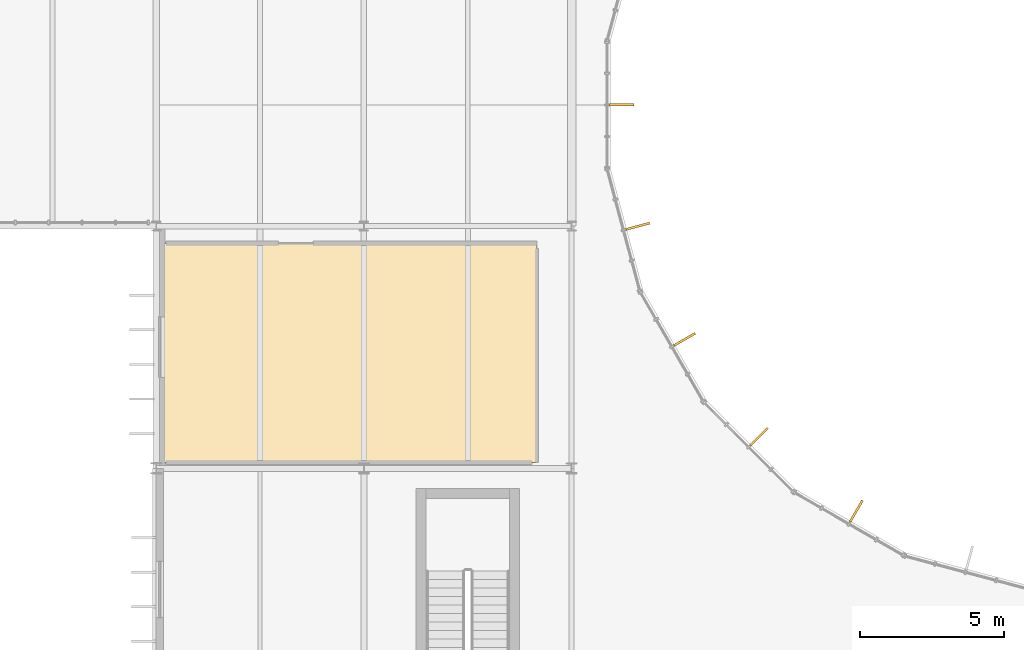
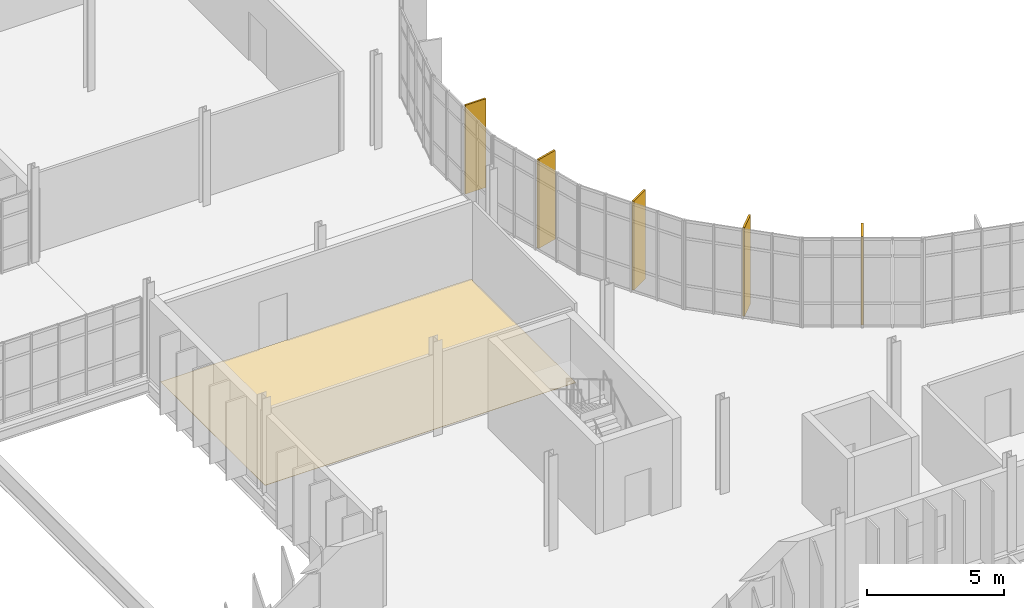
# One storey, part 108 of 119: 5 shading devices, 1 covering.
"""IFC4 building model written with IfcOpenShell, lengths in metres."""

from ifc_helpers import new_model, si_unit, direction, frame, origin, origin_2d, place, context, subcontext, project, spatial, polyline, rectangle, outline, extrude, material, layer, layer_set, type_object, element, save


model = new_model("IFC4")

# Units and contexts
model_context = context("Model", 3, precision=1e-05, world=origin(), true_north=direction((0.0, 1.0)))
body_context = subcontext(model_context, "Body", "Model", "MODEL_VIEW")
ifc_project = project(units=[si_unit("LENGTHUNIT", "METRE"), si_unit("AREAUNIT", "SQUARE_METRE"), si_unit("VOLUMEUNIT", "CUBIC_METRE"), si_unit("PLANEANGLEUNIT", "RADIAN"), si_unit("MASSUNIT", "GRAM", prefix="KILO")], contexts=[model_context])

# Site, building, storey
site_placement = place(None, origin())
site = spatial("IfcSite", under=ifc_project, at=site_placement, CompositionType="ELEMENT")
building_placement = place(site_placement, origin())
building = spatial("IfcBuilding", under=site, at=building_placement, Name="Qelthora Terrace Specialist Clinic", CompositionType="ELEMENT")
storey_placement = place(building_placement, frame((0.0, 0.0, 4.800048828125)))
storey = spatial("IfcBuildingStorey", under=building, at=storey_placement, Name="L01", CompositionType="ELEMENT", Elevation=4.800048828125)

# Covering
ifc_material_1 = material(Name="Antimicrobial clinical linoleum flooring", Category="other")
ifc_layer = layer(ifc_material_1, 0.011962890625)
ifc_layer_set = layer_set([ifc_layer], Name="Antimicrobial clinical linoleum flooring")
covering_type = type_object("IfcCoveringType", Name="COV-FLR-LINO-12", PredefinedType="FLOORING", material=ifc_layer_set)
covering_placement = place(storey_placement, origin())
element("IfcCovering", 1, at=covering_placement, inside=storey, type_object=covering_type, Name="Neurology Diagnostics South L01-41B resilient linoleum flooring", PredefinedType="FLOORING", context=body_context, shape_type="SweptSolid", body=[
    extrude(outline(polyline([(93.75, 50.60009765625), (93.75, 58.199951171875), (106.800048828125, 58.199951171875), (106.800048828125, 50.60009765625), (93.75, 50.60009765625)])), origin(), (0.0, 0.0, 1.0), 0.011962890625),
])

# Shading devices
ifc_material_2 = material(Name="Glulam timber GL28h", Category="wood")
shading_device_type = type_object("IfcShadingDeviceType", Name="SHD-FIN-850", PredefinedType="USERDEFINED", material=ifc_material_2)
for number, where, z_axis, x_axis, name in (
    (2, (109.73876953125, 63.0, 0.0), (0.0, 0.0, 1.0), (1.0, 0.0, 0.0), "Court solar fin FIN-0034"),
    (3, (110.292724609375, 58.791259765625, 0.0), (0.0, 0.0, 1.0), (0.965925826289, 0.258819045103, 0.0), "Court solar fin FIN-0035"),
    (4, (111.917236328125, 54.869384765625, 0.0), (0.0, 0.0, 1.0), (0.866025403784, 0.5, 0.0), "Court solar fin FIN-0036"),
    (5, (114.50146484375, 51.50146484375, 0.0), (0.0, 0.0, 1.0), (0.707106781187, 0.707106781187, 0.0), "Court solar fin FIN-0037"),
    (6, (117.869384765625, 48.917236328125, 0.0), (0.0, 0.0, 1.0), (0.5, 0.866025403784, 0.0), "Court solar fin FIN-0038"),
):
    element("IfcShadingDevice", number, at=place(storey_placement, frame(where, z_axis=z_axis, x_axis=x_axis)), inside=storey, type_object=shading_device_type, Name=name, ObjectType="FIN", PredefinedType="USERDEFINED", context=body_context, shape_type="SweptSolid", body=[
        extrude(rectangle(XDim=0.85009765625, YDim=0.080078125, at=origin_2d()), origin(), (0.0, 0.0, 1.0), 3.945068359375),
    ])

save(model, "model.ifc")
